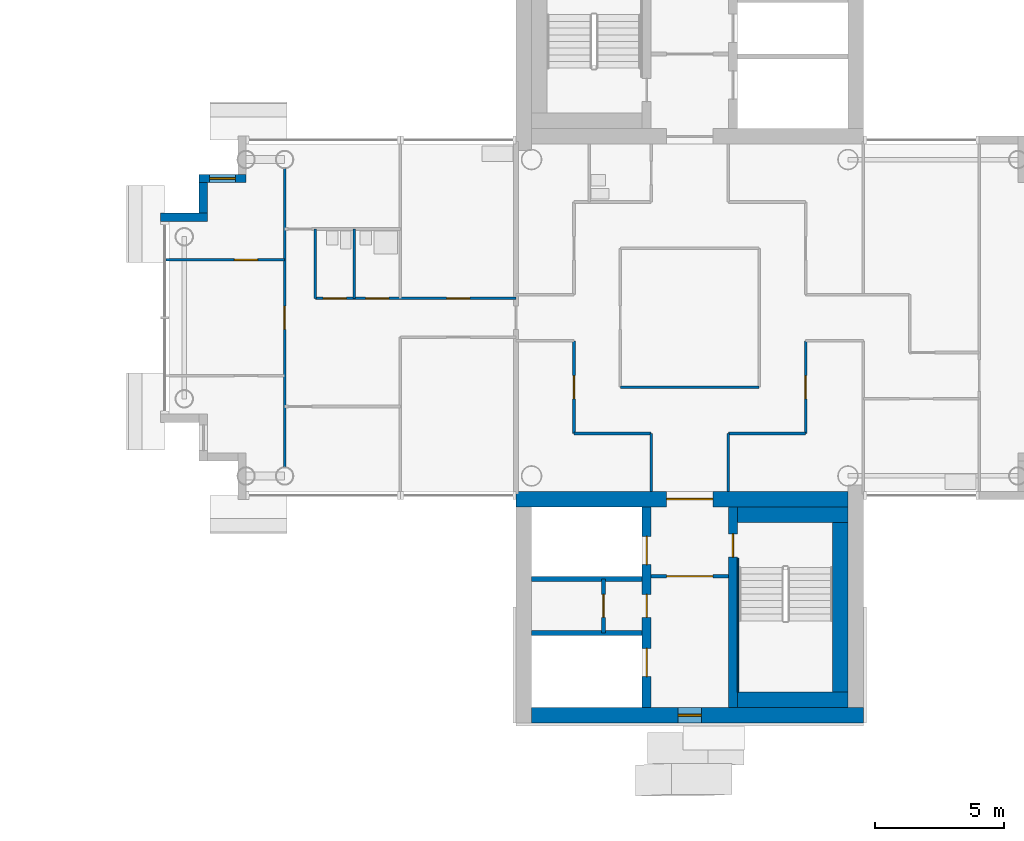
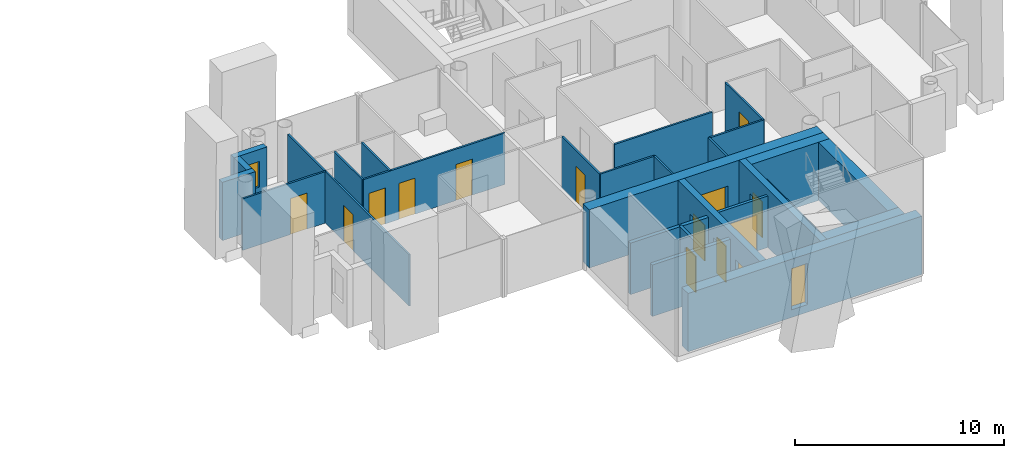
# One storey, part 9 of 18: 27 walls, 14 doors, 2 windows, 16 openings.
"""IFC4 building model written with IfcOpenShell, lengths in metres."""

from ifc_helpers import new_model, si_unit, direction, frame, frame_2d, origin, place, context, subcontext, project, spatial, rectangle, extrude, material, layer, layer_set, type_object, element, fill, save


model = new_model("IFC4")

# Units and contexts
model_context = context("Model", 3, precision=1e-05, world=origin(), true_north=direction((0.0, 1.0)))
body_context = subcontext(model_context, "Body", "Model", "MODEL_VIEW")
ifc_project = project(units=[si_unit("LENGTHUNIT", "METRE"), si_unit("AREAUNIT", "SQUARE_METRE"), si_unit("VOLUMEUNIT", "CUBIC_METRE"), si_unit("PLANEANGLEUNIT", "RADIAN"), si_unit("MASSUNIT", "GRAM", prefix="KILO")], contexts=[model_context])

# Site, building, storey
site_placement = place(None, origin())
site = spatial("IfcSite", under=ifc_project, at=site_placement, CompositionType="ELEMENT")
building_placement = place(site_placement, origin())
building = spatial("IfcBuilding", under=site, at=building_placement, Name="Ipe Terrace Towers", CompositionType="ELEMENT")
storey_placement = place(building_placement, frame((0.0, 0.0, 202.800048828125)))
storey = spatial("IfcBuildingStorey", under=building, at=storey_placement, Name="L56", CompositionType="ELEMENT", Elevation=202.800048828125)

# Wall, opening, window
ifc_material_1 = material(Name="Concrete C40/50 with buff precast cladding", Category="concrete")
ifc_layer_1 = layer(ifc_material_1, 0.320068359375)
ifc_layer_set_1 = layer_set([ifc_layer_1], Name="BUFF CLADDING WALL 320")
wall_type_1 = type_object("IfcWallType", Name="BUFF CLADDING WALL 320", PredefinedType="STANDARD", material=ifc_layer_set_1)
wall_1_placement = place(storey_placement, frame((18.75, 5.409912109375, -0.300048828125), z_axis=(0.0, 0.0, 1.0), x_axis=(-1.0, 0.0, 0.0)))
wall_1 = element("IfcWall", 1, at=wall_1_placement, inside=storey, type_object=wall_type_1, Name="T2-W-L56-23a wall", PredefinedType="STANDARD", context=body_context, shape_type="SweptSolid", body=[
    extrude(rectangle(XDim=1.820068359375, YDim=0.320068359375, at=frame_2d((0.91015625, 0.0))), origin(), (0.0, 0.0, 1.0), 3.39990234375),
])
opening_1_placement = place(wall_1_placement, frame((0.409912109375, 0.0, 1.199951171875)))
opening_1 = element("IfcOpeningElement", 2, at=opening_1_placement, cuts=wall_1, Name="Opening T2-W-05-L56-02", PredefinedType="OPENING", context=body_context, shape_type="SweptSolid", body=[
    extrude(rectangle(XDim=1.0, YDim=1.5, at=frame_2d((0.5, 0.75))), frame((0.0, 0.169921875, 0.0), z_axis=(0.0, -1.0, 0.0), x_axis=(1.0, 0.0, 0.0)), (0.0, 0.0, 1.0), 0.340087890625),
])
ifc_material_2 = material(Name="Glass, clear laminated", Category="glass")
window_type_1 = type_object("IfcWindowType", Name="DWELLING WINDOW 1000 x 1500", PartitioningType="SINGLE_PANEL", PredefinedType="WINDOW", material=ifc_material_2)
window_1_placement = place(opening_1_placement, origin())
window_1 = element("IfcWindow", 3, at=window_1_placement, inside=storey, type_object=window_type_1, Name="W-05 window", OverallHeight=1.5, OverallWidth=1.0, PartitioningType="SINGLE_PANEL", PredefinedType="WINDOW", context=body_context, shape_type="SweptSolid", body=[
    extrude(rectangle(XDim=1.0, YDim=1.5, at=frame_2d((0.5, 0.75))), frame((0.0, 0.030029296875, 0.0), z_axis=(0.0, -1.0, 0.0), x_axis=(1.0, 0.0, 0.0)), (0.0, 0.0, 1.0), 0.06005859375),
])
fill(opening_1, window_1)

# Walls
wall_2_placement = place(storey_placement, frame((17.090087890625, 5.25, -0.300048828125), z_axis=(0.0, 0.0, 1.0), x_axis=(0.0, -1.0, 0.0)))
element("IfcWall", 4, at=wall_2_placement, inside=storey, type_object=wall_type_1, Name="T2-W-L56-24a wall", PredefinedType="STANDARD", context=body_context, shape_type="SweptSolid", body=[
    extrude(rectangle(XDim=1.179931640625, YDim=0.320068359375, at=frame_2d((0.58984375, 0.0))), origin(), (0.0, 0.0, 1.0), 3.39990234375),
])
wall_3_placement = place(storey_placement, frame((17.25, 3.909912109375, -0.300048828125), z_axis=(0.0, 0.0, 1.0), x_axis=(-1.0, 0.0, 0.0)))
element("IfcWall", 5, at=wall_3_placement, inside=storey, type_object=wall_type_1, Name="T2-W-L56-25a wall", PredefinedType="STANDARD", context=body_context, shape_type="SweptSolid", body=[
    extrude(rectangle(XDim=1.820068359375, YDim=0.320068359375, at=frame_2d((0.91015625, 0.0))), origin(), (0.0, 0.0, 1.0), 3.39990234375),
])
ifc_material_3 = material(Name="Gypsum board partition", Category="plasterboard")
ifc_layer_2 = layer(ifc_material_3, 0.10009765625)
ifc_layer_set_2 = layer_set([ifc_layer_2], Name="Gypsum board partition 100 mm")
wall_type_2 = type_object("IfcWallType", Name="Gypsum board partition 100 mm", PredefinedType="PARTITIONING", material=ifc_layer_set_2)
for number, where, z_axis, x_axis, name in (
    (6, (40.5, -4.5, 0.0), (0.0, 0.0, 1.0), (-1.0, 0.0, 0.0), "Gypsum board partition T2 L56 W01"),
    (7, (34.5, -4.5, 0.0), (0.0, 0.0, 1.0), (-1.0, 0.0, 0.0), "Gypsum board partition T2 L56 W02"),
):
    element("IfcWall", number, at=place(storey_placement, frame(where, z_axis=z_axis, x_axis=x_axis)), inside=storey, type_object=wall_type_2, Name=name, PredefinedType="PARTITIONING", context=body_context, shape_type="SweptSolid", body=[
        extrude(rectangle(XDim=3.0, YDim=0.10009765625, at=frame_2d((1.5, 0.0))), origin(), (0.0, 0.0, 1.0), 3.0),
    ])
wall_4_placement = place(storey_placement, frame((38.699951171875, -2.699951171875, 0.0), z_axis=(0.0, 0.0, 1.0), x_axis=(-1.0, 0.0, 0.0)))
element("IfcWall", 8, at=wall_4_placement, inside=storey, type_object=wall_type_2, Name="Gypsum board partition T2 L56 W05", PredefinedType="PARTITIONING", context=body_context, shape_type="SweptSolid", body=[
    extrude(rectangle(XDim=5.39990234375, YDim=0.10009765625, at=frame_2d((2.699951171875, 0.0))), origin(), (0.0, 0.0, 1.0), 3.0),
])

# Wall, openings, doors
wall_5_placement = place(storey_placement, frame((29.25, 0.75, 0.0), z_axis=(0.0, 0.0, 1.0), x_axis=(-1.0, 0.0, 0.0)))
wall_5 = element("IfcWall", 9, at=wall_5_placement, inside=storey, type_object=wall_type_2, Name="Gypsum board partition T2 L56 W11", PredefinedType="PARTITIONING", context=body_context, shape_type="SweptSolid", body=[
    extrude(rectangle(XDim=7.800048828125, YDim=0.10009765625, at=frame_2d((3.89990234375, 0.0))), origin(), (0.0, 0.0, 1.0), 3.0),
])
opening_2_placement = place(wall_5_placement, frame((1.800048828125, 0.0, 0.0)))
opening_2 = element("IfcOpeningElement", 10, at=opening_2_placement, cuts=wall_5, Name="Opening T2-Z4D-08", PredefinedType="OPENING", context=body_context, shape_type="SweptSolid", body=[
    extrude(rectangle(XDim=0.89990234375, YDim=2.10009765625, at=frame_2d((0.449951171875, 1.050048828125))), frame((0.0, 0.06005859375, 0.0), z_axis=(0.0, -1.0, 0.0), x_axis=(1.0, 0.0, 0.0)), (0.0, 0.0, 1.0), 0.1201171875),
])
opening_3_placement = place(wall_5_placement, frame((4.949951171875, 0.0, 0.0)))
opening_3 = element("IfcOpeningElement", 11, at=opening_3_placement, cuts=wall_5, Name="Opening T2-Z4D-10", PredefinedType="OPENING", context=body_context, shape_type="SweptSolid", body=[
    extrude(rectangle(XDim=0.89990234375, YDim=2.10009765625, at=frame_2d((0.449951171875, 1.050048828125))), frame((0.0, 0.06005859375, 0.0), z_axis=(0.0, -1.0, 0.0), x_axis=(1.0, 0.0, 0.0)), (0.0, 0.0, 1.0), 0.1201171875),
])
opening_4_placement = place(wall_5_placement, frame((6.60009765625, 0.0, 0.0)))
opening_4 = element("IfcOpeningElement", 12, at=opening_4_placement, cuts=wall_5, Name="Opening T2-Z4D-11", PredefinedType="OPENING", context=body_context, shape_type="SweptSolid", body=[
    extrude(rectangle(XDim=0.89990234375, YDim=2.10009765625, at=frame_2d((0.449951171875, 1.050048828125))), frame((0.0, 0.06005859375, 0.0), z_axis=(0.0, -1.0, 0.0), x_axis=(1.0, 0.0, 0.0)), (0.0, 0.0, 1.0), 0.1201171875),
])
ifc_material_4 = material(Name="Timber door leaf", Category="wood")
door_type_1 = type_object("IfcDoorType", Name="Bathroom door 900 x 2100", OperationType="NOTDEFINED", PredefinedType="DOOR", material=ifc_material_4)
door_1_placement = place(opening_3_placement, origin())
door_1 = element("IfcDoor", 13, at=door_1_placement, inside=storey, type_object=door_type_1, Name="Bathroom door T2-Z4D-10", OperationType="SINGLE_SWING_RIGHT", OverallHeight=2.10009765625, OverallWidth=0.89990234375, PredefinedType="DOOR", context=body_context, shape_type="SweptSolid", body=[
    extrude(rectangle(XDim=0.89990234375, YDim=2.10009765625, at=frame_2d((0.449951171875, 1.050048828125))), frame((0.0, 0.02490234375, 0.0), z_axis=(0.0, -1.0, 0.0), x_axis=(1.0, 0.0, 0.0)), (0.0, 0.0, 1.0), 0.050048828125),
])
fill(opening_3, door_1)
door_2_placement = place(opening_4_placement, origin())
door_2 = element("IfcDoor", 14, at=door_2_placement, inside=storey, type_object=door_type_1, Name="Bathroom door T2-Z4D-11", OperationType="SINGLE_SWING_RIGHT", OverallHeight=2.10009765625, OverallWidth=0.89990234375, PredefinedType="DOOR", context=body_context, shape_type="SweptSolid", body=[
    extrude(rectangle(XDim=0.89990234375, YDim=2.10009765625, at=frame_2d((0.449951171875, 1.050048828125))), frame((0.0, 0.02490234375, 0.0), z_axis=(0.0, -1.0, 0.0), x_axis=(1.0, 0.0, 0.0)), (0.0, 0.0, 1.0), 0.050048828125),
])
fill(opening_4, door_2)
ifc_material_5 = material(Name="Timber door leaf", Category="wood")
door_type_2 = type_object("IfcDoorType", Name="Lounge door 900 x 2100", OperationType="NOTDEFINED", PredefinedType="DOOR", material=ifc_material_5)
door_3_placement = place(opening_2_placement, origin())
door_3 = element("IfcDoor", 15, at=door_3_placement, inside=storey, type_object=door_type_2, Name="Lounge door T2-Z4D-08", OperationType="SINGLE_SWING_LEFT", OverallHeight=2.10009765625, OverallWidth=0.89990234375, PredefinedType="DOOR", context=body_context, shape_type="SweptSolid", body=[
    extrude(rectangle(XDim=0.89990234375, YDim=2.10009765625, at=frame_2d((0.449951171875, 1.050048828125))), frame((0.0, 0.02490234375, 0.0), z_axis=(0.0, -1.0, 0.0), x_axis=(1.0, 0.0, 0.0)), (0.0, 0.0, 1.0), 0.050048828125),
])
fill(opening_2, door_3)

# Wall, opening, door
wall_6_placement = place(storey_placement, frame((20.25, 2.25, 0.0), z_axis=(0.0, 0.0, 1.0), x_axis=(-1.0, 0.0, 0.0)))
wall_6 = element("IfcWall", 16, at=wall_6_placement, inside=storey, type_object=wall_type_2, Name="Gypsum board partition T2 L56 W14", PredefinedType="PARTITIONING", context=body_context, shape_type="SweptSolid", body=[
    extrude(rectangle(XDim=4.60009765625, YDim=0.10009765625, at=frame_2d((2.300048828125, 0.0))), origin(), (0.0, 0.0, 1.0), 3.0),
])
opening_5_placement = place(wall_6_placement, frame((1.050048828125, 0.0, 0.0)))
opening_5 = element("IfcOpeningElement", 17, at=opening_5_placement, cuts=wall_6, Name="Opening T2-Z4D-16", PredefinedType="OPENING", context=body_context, shape_type="SweptSolid", body=[
    extrude(rectangle(XDim=0.89990234375, YDim=2.10009765625, at=frame_2d((0.449951171875, 1.050048828125))), frame((0.0, 0.06005859375, 0.0), z_axis=(0.0, -1.0, 0.0), x_axis=(1.0, 0.0, 0.0)), (0.0, 0.0, 1.0), 0.1201171875),
])
ifc_material_6 = material(Name="Timber door leaf", Category="wood")
door_type_3 = type_object("IfcDoorType", Name="Bedroom door 900 x 2100", OperationType="NOTDEFINED", PredefinedType="DOOR", material=ifc_material_6)
door_4_placement = place(opening_5_placement, origin())
door_4 = element("IfcDoor", 18, at=door_4_placement, inside=storey, type_object=door_type_3, Name="Bedroom door T2-Z4D-16", OperationType="SINGLE_SWING_LEFT", OverallHeight=2.10009765625, OverallWidth=0.89990234375, PredefinedType="DOOR", context=body_context, shape_type="SweptSolid", body=[
    extrude(rectangle(XDim=0.89990234375, YDim=2.10009765625, at=frame_2d((0.449951171875, 1.050048828125))), frame((0.0, 0.02490234375, 0.0), z_axis=(0.0, -1.0, 0.0), x_axis=(1.0, 0.0, 0.0)), (0.0, 0.0, 1.0), 0.050048828125),
])
fill(opening_5, door_4)

wall_7_placement = place(storey_placement, frame((40.5, -4.5, 0.0), z_axis=(0.0, 0.0, 1.0), x_axis=(0.0, 1.0, 0.0)))
wall_7 = element("IfcWall", 19, at=wall_7_placement, inside=storey, type_object=wall_type_2, Name="Gypsum board partition T2 L56 W23", PredefinedType="PARTITIONING", context=body_context, shape_type="SweptSolid", body=[
    extrude(rectangle(XDim=3.60009765625, YDim=0.10009765625, at=frame_2d((1.800048828125, 0.0))), origin(), (0.0, 0.0, 1.0), 3.0),
])
opening_6_placement = place(wall_7_placement, frame((1.35009765625, 0.0, 0.0)))
opening_6 = element("IfcOpeningElement", 20, at=opening_6_placement, cuts=wall_7, Name="Opening T2-Z4D-05", PredefinedType="OPENING", context=body_context, shape_type="SweptSolid", body=[
    extrude(rectangle(XDim=0.89990234375, YDim=2.10009765625, at=frame_2d((0.449951171875, 1.050048828125))), frame((0.0, 0.06005859375, 0.0), z_axis=(0.0, -1.0, 0.0), x_axis=(1.0, 0.0, 0.0)), (0.0, 0.0, 1.0), 0.1201171875),
])
door_5_placement = place(opening_6_placement, origin())
door_5 = element("IfcDoor", 21, at=door_5_placement, inside=storey, type_object=door_type_2, Name="Lounge door T2-Z4D-05", OperationType="SINGLE_SWING_RIGHT", OverallHeight=2.10009765625, OverallWidth=0.89990234375, PredefinedType="DOOR", context=body_context, shape_type="SweptSolid", body=[
    extrude(rectangle(XDim=0.89990234375, YDim=2.10009765625, at=frame_2d((0.449951171875, 1.050048828125))), frame((0.0, 0.02490234375, 0.0), z_axis=(0.0, -1.0, 0.0), x_axis=(1.0, 0.0, 0.0)), (0.0, 0.0, 1.0), 0.050048828125),
])
fill(opening_6, door_5)

# Walls
for number, where, z_axis, x_axis, name in (
    (22, (37.5, -6.75, 0.0), (0.0, 0.0, 1.0), (0.0, 1.0, 0.0), "Gypsum board partition T2 L56 W26"),
    (23, (34.5, -6.75, 0.0), (0.0, 0.0, 1.0), (0.0, 1.0, 0.0), "Gypsum board partition T2 L56 W28"),
):
    element("IfcWall", number, at=place(storey_placement, frame(where, z_axis=z_axis, x_axis=x_axis)), inside=storey, type_object=wall_type_2, Name=name, PredefinedType="PARTITIONING", context=body_context, shape_type="SweptSolid", body=[
        extrude(rectangle(XDim=2.25, YDim=0.10009765625, at=frame_2d((1.125, 0.0))), origin(), (0.0, 0.0, 1.0), 3.0),
    ])

# Wall, opening, door
wall_8_placement = place(storey_placement, frame((31.5, -4.5, 0.0), z_axis=(0.0, 0.0, 1.0), x_axis=(0.0, 1.0, 0.0)))
wall_8 = element("IfcWall", 24, at=wall_8_placement, inside=storey, type_object=wall_type_2, Name="Gypsum board partition T2 L56 W32", PredefinedType="PARTITIONING", context=body_context, shape_type="SweptSolid", body=[
    extrude(rectangle(XDim=3.60009765625, YDim=0.10009765625, at=frame_2d((1.800048828125, 0.0))), origin(), (0.0, 0.0, 1.0), 3.0),
])
opening_7_placement = place(wall_8_placement, frame((1.35009765625, 0.0, 0.0)))
opening_7 = element("IfcOpeningElement", 25, at=opening_7_placement, cuts=wall_8, Name="Opening T2-Z4D-04", PredefinedType="OPENING", context=body_context, shape_type="SweptSolid", body=[
    extrude(rectangle(XDim=0.89990234375, YDim=2.10009765625, at=frame_2d((0.449951171875, 1.050048828125))), frame((0.0, 0.06005859375, 0.0), z_axis=(0.0, -1.0, 0.0), x_axis=(1.0, 0.0, 0.0)), (0.0, 0.0, 1.0), 0.1201171875),
])
door_6_placement = place(opening_7_placement, origin())
door_6 = element("IfcDoor", 26, at=door_6_placement, inside=storey, type_object=door_type_2, Name="Lounge door T2-Z4D-04", OperationType="SINGLE_SWING_LEFT", OverallHeight=2.10009765625, OverallWidth=0.89990234375, PredefinedType="DOOR", context=body_context, shape_type="SweptSolid", body=[
    extrude(rectangle(XDim=0.89990234375, YDim=2.10009765625, at=frame_2d((0.449951171875, 1.050048828125))), frame((0.0, 0.02490234375, 0.0), z_axis=(0.0, -1.0, 0.0), x_axis=(1.0, 0.0, 0.0)), (0.0, 0.0, 1.0), 0.050048828125),
])
fill(opening_7, door_6)

# Walls
for number, where, z_axis, x_axis, name in (
    (27, (22.949951171875, 0.75, 0.0), (0.0, 0.0, 1.0), (0.0, 1.0, 0.0), "Gypsum board partition T2 L56 W37"),
    (28, (21.449951171875, 0.75, 0.0), (0.0, 0.0, 1.0), (0.0, 1.0, 0.0), "Gypsum board partition T2 L56 W38"),
):
    element("IfcWall", number, at=place(storey_placement, frame(where, z_axis=z_axis, x_axis=x_axis)), inside=storey, type_object=wall_type_2, Name=name, PredefinedType="PARTITIONING", context=body_context, shape_type="SweptSolid", body=[
        extrude(rectangle(XDim=2.699951171875, YDim=0.10009765625, at=frame_2d((1.35009765625, 0.0))), origin(), (0.0, 0.0, 1.0), 3.0),
    ])

# Wall, opening, door
wall_9_placement = place(storey_placement, frame((20.25, -5.800048828125, 0.0), z_axis=(0.0, 0.0, 1.0), x_axis=(0.0, 1.0, 0.0)))
wall_9 = element("IfcWall", 29, at=wall_9_placement, inside=storey, type_object=wall_type_2, Name="Gypsum board partition T2 L56 W39", PredefinedType="PARTITIONING", context=body_context, shape_type="SweptSolid", body=[
    extrude(rectangle(XDim=11.60009765625, YDim=0.10009765625, at=frame_2d((5.800048828125, 0.0))), origin(), (0.0, 0.0, 1.0), 3.0),
])
opening_8_placement = place(wall_9_placement, frame((5.35009765625, 0.0, 0.0)))
opening_8 = element("IfcOpeningElement", 30, at=opening_8_placement, cuts=wall_9, Name="Opening T2-Z4D-14", PredefinedType="OPENING", context=body_context, shape_type="SweptSolid", body=[
    extrude(rectangle(XDim=0.89990234375, YDim=2.10009765625, at=frame_2d((0.449951171875, 1.050048828125))), frame((0.0, 0.06005859375, 0.0), z_axis=(0.0, -1.0, 0.0), x_axis=(1.0, 0.0, 0.0)), (0.0, 0.0, 1.0), 0.1201171875),
])
door_7_placement = place(opening_8_placement, origin())
door_7 = element("IfcDoor", 31, at=door_7_placement, inside=storey, type_object=door_type_2, Name="Lounge door T2-Z4D-14", OperationType="SINGLE_SWING_LEFT", OverallHeight=2.10009765625, OverallWidth=0.89990234375, PredefinedType="DOOR", context=body_context, shape_type="SweptSolid", body=[
    extrude(rectangle(XDim=0.89990234375, YDim=2.10009765625, at=frame_2d((0.449951171875, 1.050048828125))), frame((0.0, 0.02490234375, 0.0), z_axis=(0.0, -1.0, 0.0), x_axis=(1.0, 0.0, 0.0)), (0.0, 0.0, 1.0), 0.050048828125),
])
fill(opening_8, door_7)

ifc_material_7 = material(Name="Gypsum board partition", Category="plasterboard")
ifc_layer_3 = layer(ifc_material_7, 0.14990234375)
ifc_layer_set_3 = layer_set([ifc_layer_3], Name="Gypsum board partition 150 mm")
wall_type_3 = type_object("IfcWallType", Name="Gypsum board partition 150 mm", PredefinedType="PARTITIONING", material=ifc_layer_set_3)
wall_10_placement = place(storey_placement, frame((34.5, -10.050048828125, 0.0), z_axis=(0.0, 0.0, 1.0), x_axis=(1.0, 0.0, 0.0)))
wall_10 = element("IfcWall", 32, at=wall_10_placement, inside=storey, type_object=wall_type_3, Name="Gypsum board partition T2 L56 t2c2-lobby-wall", PredefinedType="PARTITIONING", context=body_context, shape_type="SweptSolid", body=[
    extrude(rectangle(XDim=3.0, YDim=0.14990234375, at=frame_2d((1.5, 0.0))), origin(), (0.0, 0.0, 1.0), 3.0),
])
opening_9_placement = place(wall_10_placement, frame((0.60009765625, 0.0, 0.0)))
opening_9 = element("IfcOpeningElement", 33, at=opening_9_placement, cuts=wall_10, Name="Opening T2C2-VD", PredefinedType="OPENING", context=body_context, shape_type="SweptSolid", body=[
    extrude(rectangle(XDim=1.800048828125, YDim=2.10009765625, at=frame_2d((0.89990234375, 1.050048828125))), frame((0.0, 0.0849609375, 0.0), z_axis=(0.0, -1.0, 0.0), x_axis=(1.0, 0.0, 0.0)), (0.0, 0.0, 1.0), 0.169921875),
])
ifc_material_8 = material(Name="Fire-rated timber door leaf", Category="wood")
door_type_4 = type_object("IfcDoorType", Name="Lobby door 1800 x 2100 FD60", OperationType="NOTDEFINED", PredefinedType="DOOR", material=ifc_material_8)
door_8_placement = place(opening_9_placement, origin())
door_8 = element("IfcDoor", 34, at=door_8_placement, inside=storey, type_object=door_type_4, Name="Lobby door T2C2-VD", OperationType="SINGLE_SWING_LEFT", OverallHeight=2.10009765625, OverallWidth=1.800048828125, PredefinedType="DOOR", context=body_context, shape_type="SweptSolid", body=[
    extrude(rectangle(XDim=1.800048828125, YDim=2.10009765625, at=frame_2d((0.89990234375, 1.050048828125))), frame((0.0, 0.02490234375, 0.0), z_axis=(0.0, -1.0, 0.0), x_axis=(1.0, 0.0, 0.0)), (0.0, 0.0, 1.0), 0.050048828125),
])
fill(opening_9, door_8)

wall_11_placement = place(storey_placement, frame((32.64990234375, -10.14990234375, 0.0), z_axis=(0.0, 0.0, 1.0), x_axis=(0.0, -1.0, 0.0)))
wall_11 = element("IfcWall", 35, at=wall_11_placement, inside=storey, type_object=wall_type_3, Name="Gypsum board partition T2 L56 t2c2-q-back", PredefinedType="PARTITIONING", context=body_context, shape_type="SweptSolid", body=[
    extrude(rectangle(XDim=2.10009765625, YDim=0.14990234375, at=frame_2d((1.050048828125, 0.0))), origin(), (0.0, 0.0, 1.0), 3.0),
])
opening_10_placement = place(wall_11_placement, frame((0.60009765625, 0.0, 0.0)))
opening_10 = element("IfcOpeningElement", 36, at=opening_10_placement, cuts=wall_11, Name="Opening T2C2-RB", PredefinedType="OPENING", context=body_context, shape_type="SweptSolid", body=[
    extrude(rectangle(XDim=0.89990234375, YDim=2.10009765625, at=frame_2d((0.449951171875, 1.050048828125))), frame((0.0, 0.0849609375, 0.0), z_axis=(0.0, -1.0, 0.0), x_axis=(1.0, 0.0, 0.0)), (0.0, 0.0, 1.0), 0.169921875),
])
ifc_material_9 = material(Name="Fire-rated timber door leaf", Category="wood")
door_type_5 = type_object("IfcDoorType", Name="Service door 900 x 2100 FD60", OperationType="NOTDEFINED", PredefinedType="DOOR", material=ifc_material_9)
door_9_placement = place(opening_10_placement, origin())
door_9 = element("IfcDoor", 37, at=door_9_placement, inside=storey, type_object=door_type_5, Name="Service door T2C2-RB", OperationType="SINGLE_SWING_LEFT", OverallHeight=2.10009765625, OverallWidth=0.89990234375, PredefinedType="DOOR", context=body_context, shape_type="SweptSolid", body=[
    extrude(rectangle(XDim=0.89990234375, YDim=2.10009765625, at=frame_2d((0.449951171875, 1.050048828125))), frame((0.0, 0.02490234375, 0.0), z_axis=(0.0, -1.0, 0.0), x_axis=(1.0, 0.0, 0.0)), (0.0, 0.0, 1.0), 0.050048828125),
])
fill(opening_10, door_9)

# Walls
ifc_material_10 = material(Name="Gypsum board party wall", Category="plasterboard")
ifc_layer_4 = layer(ifc_material_10, 0.199951171875)
ifc_layer_set_4 = layer_set([ifc_layer_4], Name="Gypsum board party wall 200 mm")
wall_type_4 = type_object("IfcWallType", Name="Gypsum board party wall 200 mm", PredefinedType="SOLIDWALL", material=ifc_layer_set_4)
for number, where, z_axis, x_axis, name in (
    (38, (29.85009765625, -12.25, 0.0), (0.0, 0.0, 1.0), (1.0, 0.0, 0.0), "Gypsum board party wall T2 L56 t2c2-shaft-div2"),
    (39, (29.85009765625, -10.14990234375, 0.0), (0.0, 0.0, 1.0), (1.0, 0.0, 0.0), "Gypsum board party wall T2 L56 t2c2-shaft-div1"),
):
    element("IfcWall", number, at=place(storey_placement, frame(where, z_axis=z_axis, x_axis=x_axis)), inside=storey, type_object=wall_type_4, Name=name, PredefinedType="SOLIDWALL", context=body_context, shape_type="SweptSolid", body=[
        extrude(rectangle(XDim=4.2998046875, YDim=0.199951171875, at=frame_2d((2.14990234375, 0.0))), origin(), (0.0, 0.0, 1.0), 3.0),
    ])

# Wall, openings, doors
ifc_material_11 = material(Name="Concrete C40/50", Category="concrete")
ifc_layer_5 = layer(ifc_material_11, 0.35009765625)
ifc_layer_set_5 = layer_set([ifc_layer_5], Name="RW350 CORE SPINE WALL 350 C40-50")
wall_type_5 = type_object("IfcWallType", Name="RW350 CORE SPINE WALL 350 C40-50", PredefinedType="SHEAR", material=ifc_layer_set_5)
wall_12_placement = place(storey_placement, frame((34.324951171875, -15.14990234375, 0.0), z_axis=(0.0, 0.0, 1.0), x_axis=(0.0, 1.0, 0.0)))
wall_12 = element("IfcWall", 40, at=wall_12_placement, inside=storey, type_object=wall_type_5, Name="Core spine wall T2-C2-Z4-SW1", PredefinedType="SHEAR", context=body_context, shape_type="SweptSolid", body=[
    extrude(rectangle(XDim=7.7998046875, YDim=0.35009765625, at=frame_2d((3.89990234375, 0.0))), origin(), (0.0, 0.0, 1.0), 3.39990234375),
])
opening_11_placement = place(wall_12_placement, frame((5.550048828125, 0.0, 0.0)))
opening_11 = element("IfcOpeningElement", 41, at=opening_11_placement, cuts=wall_12, Name="Opening T2C2-LD1", PredefinedType="OPENING", context=body_context, shape_type="SweptSolid", body=[
    extrude(rectangle(XDim=1.10009765625, YDim=2.10009765625, at=frame_2d((0.550048828125, 1.050048828125))), frame((0.0, 0.18505859375, 0.0), z_axis=(0.0, -1.0, 0.0), x_axis=(1.0, 0.0, 0.0)), (0.0, 0.0, 1.0), 0.3701171875),
])
opening_12_placement = place(wall_12_placement, frame((1.199951171875, 0.0, 0.0)))
opening_12 = element("IfcOpeningElement", 42, at=opening_12_placement, cuts=wall_12, Name="Opening T2C2-LD3", PredefinedType="OPENING", context=body_context, shape_type="SweptSolid", body=[
    extrude(rectangle(XDim=1.10009765625, YDim=2.10009765625, at=frame_2d((0.550048828125, 1.050048828125))), frame((0.0, 0.18505859375, 0.0), z_axis=(0.0, -1.0, 0.0), x_axis=(1.0, 0.0, 0.0)), (0.0, 0.0, 1.0), 0.3701171875),
])
opening_13_placement = place(wall_12_placement, frame((3.5, 0.0, 0.0)))
opening_13 = element("IfcOpeningElement", 43, at=opening_13_placement, cuts=wall_12, Name="Opening T2C2-R1", PredefinedType="OPENING", context=body_context, shape_type="SweptSolid", body=[
    extrude(rectangle(XDim=0.89990234375, YDim=2.10009765625, at=frame_2d((0.449951171875, 1.050048828125))), frame((0.0, 0.18505859375, 0.0), z_axis=(0.0, -1.0, 0.0), x_axis=(1.0, 0.0, 0.0)), (0.0, 0.0, 1.0), 0.3701171875),
])
ifc_material_12 = material(Name="Fire-rated timber door leaf", Category="wood")
door_type_6 = type_object("IfcDoorType", Name="Sliding door 1100 x 2100 FD60", OperationType="SLIDING_TO_LEFT", PredefinedType="DOOR", material=ifc_material_12)
door_10_placement = place(opening_11_placement, origin())
door_10 = element("IfcDoor", 44, at=door_10_placement, inside=storey, type_object=door_type_6, Name="Sliding door T2C2-LD1", OperationType="SLIDING_TO_LEFT", OverallHeight=2.10009765625, OverallWidth=1.10009765625, PredefinedType="DOOR", context=body_context, shape_type="SweptSolid", body=[
    extrude(rectangle(XDim=1.10009765625, YDim=2.10009765625, at=frame_2d((0.550048828125, 1.050048828125))), frame((0.0, 0.02490234375, 0.0), z_axis=(0.0, -1.0, 0.0), x_axis=(1.0, 0.0, 0.0)), (0.0, 0.0, 1.0), 0.050048828125),
])
fill(opening_11, door_10)
door_11_placement = place(opening_12_placement, origin())
door_11 = element("IfcDoor", 45, at=door_11_placement, inside=storey, type_object=door_type_6, Name="Sliding door T2C2-LD3", OperationType="SLIDING_TO_LEFT", OverallHeight=2.10009765625, OverallWidth=1.10009765625, PredefinedType="DOOR", context=body_context, shape_type="SweptSolid", body=[
    extrude(rectangle(XDim=1.10009765625, YDim=2.10009765625, at=frame_2d((0.550048828125, 1.050048828125))), frame((0.0, 0.02490234375, 0.0), z_axis=(0.0, -1.0, 0.0), x_axis=(1.0, 0.0, 0.0)), (0.0, 0.0, 1.0), 0.050048828125),
])
fill(opening_12, door_11)
ifc_material_13 = material(Name="Timber door leaf", Category="wood")
door_type_7 = type_object("IfcDoorType", Name="Store door 900 x 2100", OperationType="NOTDEFINED", PredefinedType="DOOR", material=ifc_material_13)
door_12_placement = place(opening_13_placement, origin())
door_12 = element("IfcDoor", 46, at=door_12_placement, inside=storey, type_object=door_type_7, Name="Store door T2C2-R1", OperationType="SINGLE_SWING_LEFT", OverallHeight=2.10009765625, OverallWidth=0.89990234375, PredefinedType="DOOR", context=body_context, shape_type="SweptSolid", body=[
    extrude(rectangle(XDim=0.89990234375, YDim=2.10009765625, at=frame_2d((0.449951171875, 1.050048828125))), frame((0.0, 0.02490234375, 0.0), z_axis=(0.0, -1.0, 0.0), x_axis=(1.0, 0.0, 0.0)), (0.0, 0.0, 1.0), 0.050048828125),
])
fill(opening_13, door_12)

# Wall, opening, door
wall_13_placement = place(storey_placement, frame((37.675048828125, -15.14990234375, 0.0), z_axis=(0.0, 0.0, 1.0), x_axis=(0.0, 1.0, 0.0)))
wall_13 = element("IfcWall", 47, at=wall_13_placement, inside=storey, type_object=wall_type_5, Name="Core spine wall T2-C2-Z4-SW2", PredefinedType="SHEAR", context=body_context, shape_type="SweptSolid", body=[
    extrude(rectangle(XDim=7.7998046875, YDim=0.35009765625, at=frame_2d((3.89990234375, 0.0))), origin(), (0.0, 0.0, 1.0), 3.39990234375),
])
opening_14_placement = place(wall_13_placement, frame((5.85009765625, 0.0, 0.0)))
opening_14 = element("IfcOpeningElement", 48, at=opening_14_placement, cuts=wall_13, Name="Opening T2C2-SD", PredefinedType="OPENING", context=body_context, shape_type="SweptSolid", body=[
    extrude(rectangle(XDim=0.89990234375, YDim=2.10009765625, at=frame_2d((0.449951171875, 1.050048828125))), frame((0.0, 0.18505859375, 0.0), z_axis=(0.0, -1.0, 0.0), x_axis=(1.0, 0.0, 0.0)), (0.0, 0.0, 1.0), 0.3701171875),
])
ifc_material_14 = material(Name="Fire-rated timber door leaf", Category="wood")
door_type_8 = type_object("IfcDoorType", Name="Stair door 900 x 2100 FD60", OperationType="NOTDEFINED", PredefinedType="DOOR", material=ifc_material_14)
door_13_placement = place(opening_14_placement, origin())
door_13 = element("IfcDoor", 49, at=door_13_placement, inside=storey, type_object=door_type_8, Name="Stair door T2C2-SD", OperationType="SINGLE_SWING_RIGHT", OverallHeight=2.10009765625, OverallWidth=0.89990234375, PredefinedType="DOOR", context=body_context, shape_type="SweptSolid", body=[
    extrude(rectangle(XDim=0.89990234375, YDim=2.10009765625, at=frame_2d((0.449951171875, 1.050048828125))), frame((0.0, 0.02490234375, 0.0), z_axis=(0.0, -1.0, 0.0), x_axis=(1.0, 0.0, 0.0)), (0.0, 0.0, 1.0), 0.050048828125),
])
fill(opening_14, door_13)

# Walls
ifc_material_15 = material(Name="Concrete C40/50", Category="concrete")
ifc_layer_6 = layer(ifc_material_15, 0.050048828125)
ifc_layer_set_6 = layer_set([ifc_layer_6], Name="RW50 CORE INFILL WALL 50 C40-50")
wall_type_6 = type_object("IfcWallType", Name="RW50 CORE INFILL WALL 50 C40-50", PredefinedType="SHEAR", material=ifc_layer_set_6)
wall_14_placement = place(storey_placement, frame((37.875, -9.35009765625, 0.0), z_axis=(0.0, 0.0, 1.0), x_axis=(0.0, -1.0, 0.0)))
element("IfcWall", 50, at=wall_14_placement, inside=storey, type_object=wall_type_6, Name="Core infill wall T2-C2-spine-b", PredefinedType="SHEAR", context=body_context, shape_type="SweptSolid", body=[
    extrude(rectangle(XDim=5.199951171875, YDim=0.050048828125, at=frame_2d((2.60009765625, 0.0))), origin(), (0.0, 0.0, 1.0), 3.39990234375),
])
ifc_material_16 = material(Name="Concrete C40/50", Category="concrete")
ifc_layer_7 = layer(ifc_material_16, 0.60009765625)
ifc_layer_set_7 = layer_set([ifc_layer_7], Name="RW600 CORE INFILL WALL 600 C40-50")
wall_type_7 = type_object("IfcWallType", Name="RW600 CORE INFILL WALL 600 C40-50", PredefinedType="SHEAR", material=ifc_layer_set_7)
wall_15_placement = place(storey_placement, frame((37.85009765625, -14.85009765625, 0.0), z_axis=(0.0, 0.0, 1.0), x_axis=(1.0, 0.0, 0.0)))
element("IfcWall", 51, at=wall_15_placement, inside=storey, type_object=wall_type_7, Name="Core infill wall T2-C2-far", PredefinedType="SHEAR", context=body_context, shape_type="SweptSolid", body=[
    extrude(rectangle(XDim=4.2998046875, YDim=0.60009765625, at=frame_2d((2.14990234375, 0.0))), origin(), (0.0, 0.0, 1.0), 3.39990234375),
])
wall_16_placement = place(storey_placement, frame((41.85009765625, -7.949951171875, 0.0), z_axis=(0.0, 0.0, 1.0), x_axis=(0.0, -1.0, 0.0)))
element("IfcWall", 52, at=wall_16_placement, inside=storey, type_object=wall_type_7, Name="Core infill wall T2-C2-back", PredefinedType="SHEAR", context=body_context, shape_type="SweptSolid", body=[
    extrude(rectangle(XDim=6.60009765625, YDim=0.60009765625, at=frame_2d((3.300048828125, 0.0))), origin(), (0.0, 0.0, 1.0), 3.39990234375),
])
wall_17_placement = place(storey_placement, frame((37.85009765625, -7.64990234375, 0.0), z_axis=(0.0, 0.0, 1.0), x_axis=(1.0, 0.0, 0.0)))
element("IfcWall", 53, at=wall_17_placement, inside=storey, type_object=wall_type_7, Name="Core infill wall T2-C2-near", PredefinedType="SHEAR", context=body_context, shape_type="SweptSolid", body=[
    extrude(rectangle(XDim=4.2998046875, YDim=0.60009765625, at=frame_2d((2.14990234375, 0.0))), origin(), (0.0, 0.0, 1.0), 3.39990234375),
])

# Wall, opening, window
ifc_material_17 = material(Name="Concrete C40/50", Category="concrete")
ifc_layer_8 = layer(ifc_material_17, 0.60009765625)
ifc_layer_set_8 = layer_set([ifc_layer_8], Name="RW600 CORE WALL 600 C40-50")
wall_type_8 = type_object("IfcWallType", Name="RW600 CORE WALL 600 C40-50", PredefinedType="SHEAR", material=ifc_layer_set_8)
wall_18_placement = place(storey_placement, frame((29.85009765625, -15.449951171875, 0.0), z_axis=(0.0, 0.0, 1.0), x_axis=(1.0, 0.0, 0.0)))
wall_18 = element("IfcWall", 54, at=wall_18_placement, inside=storey, type_object=wall_type_8, Name="Core wall T2-C2-Z4-W01", PredefinedType="SHEAR", context=body_context, shape_type="SweptSolid", body=[
    extrude(rectangle(XDim=12.89990234375, YDim=0.60009765625, at=frame_2d((6.449951171875, 0.0))), origin(), (0.0, 0.0, 1.0), 3.39990234375),
])
opening_15_placement = place(wall_18_placement, frame((5.699951171875, 0.0, 0.449951171875)))
opening_15 = element("IfcOpeningElement", 55, at=opening_15_placement, cuts=wall_18, Name="Opening T2-C2-W-01-L56", PredefinedType="OPENING", context=body_context, shape_type="SweptSolid", body=[
    extrude(rectangle(XDim=0.89990234375, YDim=2.39990234375, at=frame_2d((0.449951171875, 1.199951171875))), frame((0.0, 0.31005859375, 0.0), z_axis=(0.0, -1.0, 0.0), x_axis=(1.0, 0.0, 0.0)), (0.0, 0.0, 1.0), 0.6201171875),
])
ifc_material_18 = material(Name="Fire-resistant glazing EI 60", Category="glass")
window_type_2 = type_object("IfcWindowType", Name="CORRIDOR END SLOT WINDOW 900 x 2400 EI 60", PartitioningType="SINGLE_PANEL", PredefinedType="WINDOW", material=ifc_material_18)
window_2_placement = place(opening_15_placement, origin())
window_2 = element("IfcWindow", 56, at=window_2_placement, inside=storey, type_object=window_type_2, Name="W-01 window", OverallHeight=2.39990234375, OverallWidth=0.89990234375, PartitioningType="SINGLE_PANEL", PredefinedType="WINDOW", context=body_context, shape_type="SweptSolid", body=[
    extrude(rectangle(XDim=0.89990234375, YDim=2.39990234375, at=frame_2d((0.449951171875, 1.199951171875))), frame((0.0, 0.030029296875, 0.0), z_axis=(0.0, -1.0, 0.0), x_axis=(1.0, 0.0, 0.0)), (0.0, 0.0, 1.0), 0.06005859375),
])
fill(opening_15, window_2)

# Wall, opening, door
wall_19_placement = place(storey_placement, frame((42.14990234375, -7.050048828125, 0.0), z_axis=(0.0, 0.0, 1.0), x_axis=(-1.0, 0.0, 0.0)))
wall_19 = element("IfcWall", 57, at=wall_19_placement, inside=storey, type_object=wall_type_8, Name="Core wall T2-C2-Z4-W03", PredefinedType="SHEAR", context=body_context, shape_type="SweptSolid", body=[
    extrude(rectangle(XDim=12.89990234375, YDim=0.60009765625, at=frame_2d((6.449951171875, 0.0))), origin(), (0.0, 0.0, 1.0), 3.39990234375),
])
opening_16_placement = place(wall_19_placement, frame((5.25, 0.0, 0.0)))
opening_16 = element("IfcOpeningElement", 58, at=opening_16_placement, cuts=wall_19, Name="Opening T2C2-ND", PredefinedType="OPENING", context=body_context, shape_type="SweptSolid", body=[
    extrude(rectangle(XDim=1.800048828125, YDim=2.10009765625, at=frame_2d((0.89990234375, 1.050048828125))), frame((0.0, 0.31005859375, 0.0), z_axis=(0.0, -1.0, 0.0), x_axis=(1.0, 0.0, 0.0)), (0.0, 0.0, 1.0), 0.6201171875),
])
ifc_material_19 = material(Name="Fire-rated timber door leaf", Category="wood")
door_type_9 = type_object("IfcDoorType", Name="Fire door 1800 x 2100 FD30S", OperationType="NOTDEFINED", PredefinedType="DOOR", material=ifc_material_19)
door_14_placement = place(opening_16_placement, origin())
door_14 = element("IfcDoor", 59, at=door_14_placement, inside=storey, type_object=door_type_9, Name="Fire door T2C2-ND", OperationType="SINGLE_SWING_LEFT", OverallHeight=2.10009765625, OverallWidth=1.800048828125, PredefinedType="DOOR", context=body_context, shape_type="SweptSolid", body=[
    extrude(rectangle(XDim=1.800048828125, YDim=2.10009765625, at=frame_2d((0.89990234375, 1.050048828125))), frame((0.0, 0.02490234375, 0.0), z_axis=(0.0, -1.0, 0.0), x_axis=(1.0, 0.0, 0.0)), (0.0, 0.0, 1.0), 0.050048828125),
])
fill(opening_16, door_14)

save(model, "model.ifc")
